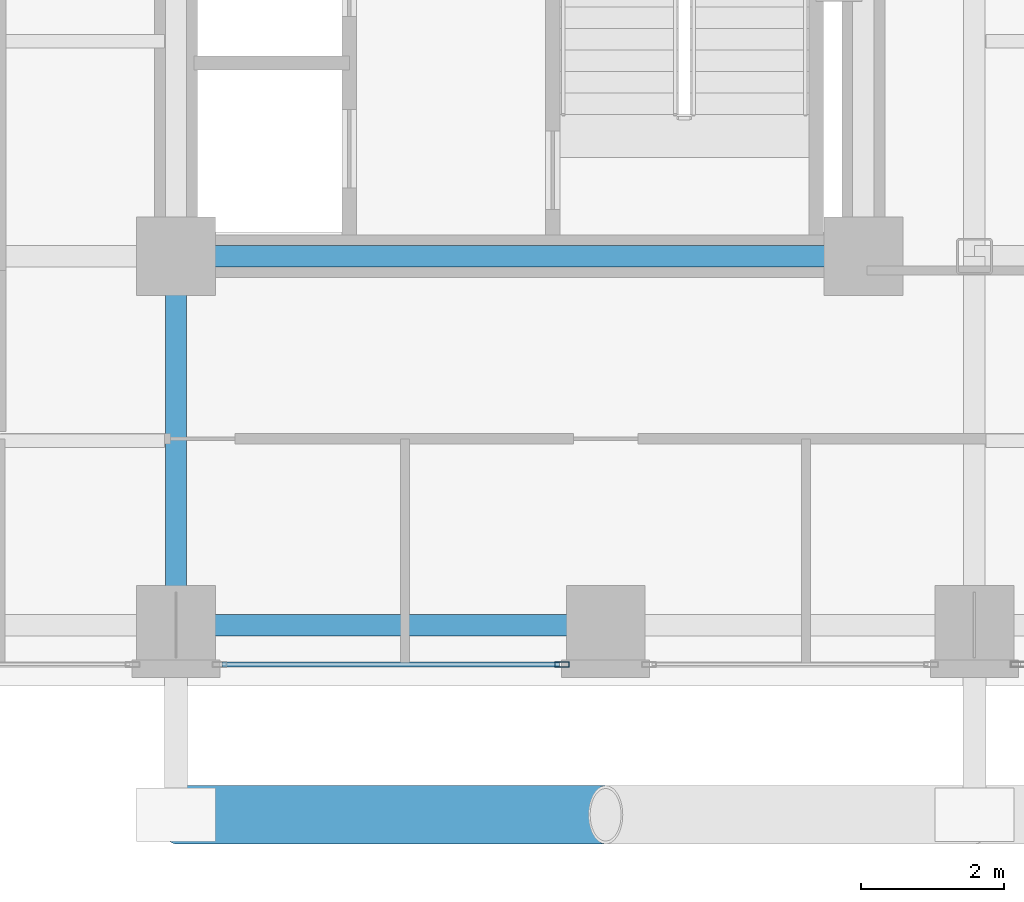
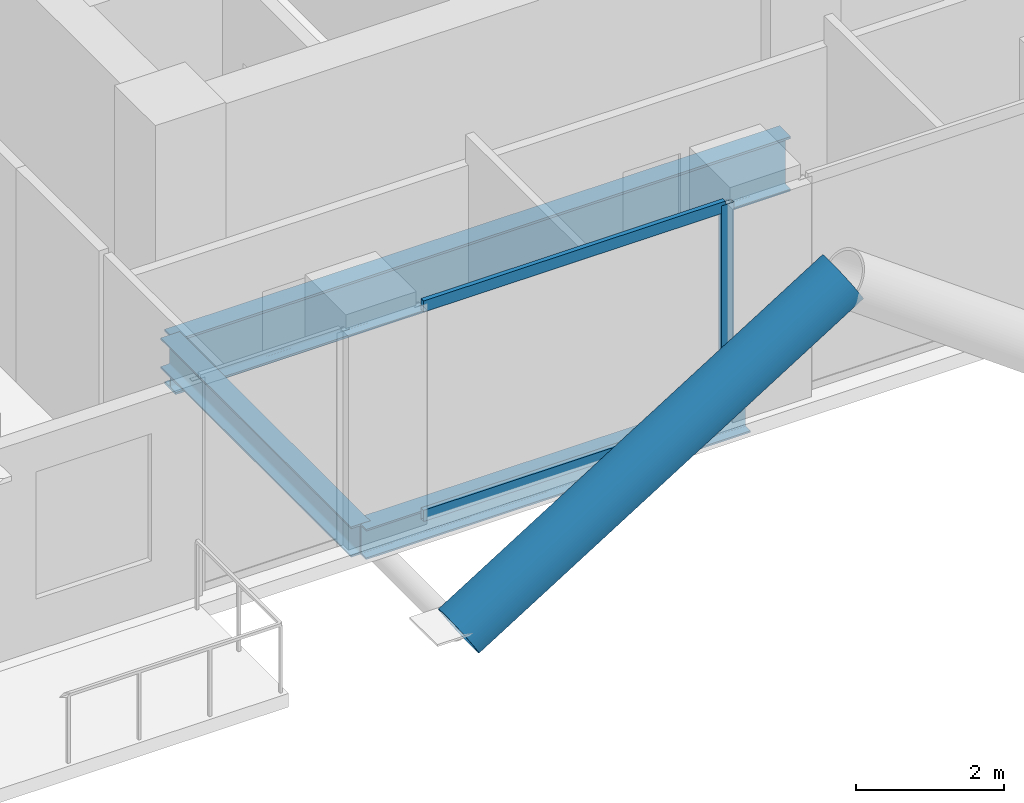
# One storey, part 4 of 26: 4 members, 3 beams, 1 element without a shape of its own.
"""IFC4 building model written with IfcOpenShell, lengths in metres."""

from ifc_helpers import new_model, si_unit, direction, frame, origin, origin_2d, place, context, subcontext, project, spatial, hollow_rectangle, hollow_circle, i_section, extrude, material, layer, layer_set, material_profile, profile_set, type_object, element, aggregate, save


model = new_model("IFC4")

# Units and contexts
model_context = context("Model", 3, precision=1e-05, world=origin(), true_north=direction((0.0, 1.0)))
body_context = subcontext(model_context, "Body", "Model", "MODEL_VIEW")
ifc_project = project(units=[si_unit("LENGTHUNIT", "METRE"), si_unit("AREAUNIT", "SQUARE_METRE"), si_unit("VOLUMEUNIT", "CUBIC_METRE"), si_unit("PLANEANGLEUNIT", "RADIAN"), si_unit("MASSUNIT", "GRAM", prefix="KILO"), si_unit("THERMODYNAMICTEMPERATUREUNIT", "KELVIN"), si_unit("POWERUNIT", "WATT")], contexts=[model_context])

# Site, building, storey
site_placement = place(None, origin())
site = spatial("IfcSite", under=ifc_project, at=site_placement, CompositionType="ELEMENT")
building_placement = place(site_placement, origin())
building = spatial("IfcBuilding", under=site, at=building_placement, Name="Svarakhadi Broadcast Tower", CompositionType="ELEMENT")
storey_placement = place(building_placement, frame((0.0, 0.0, 99.60009765625)))
storey = spatial("IfcBuildingStorey", under=building, at=storey_placement, Name="L23", CompositionType="ELEMENT", Elevation=99.60009765625)

# Curtain wall, members
ifc_material_1 = material(Name="Anodised Bronze Aluminium AA 6063-T6", Category="aluminium")
ifc_layer = layer(ifc_material_1, 0.199951171875)
ifc_layer_set = layer_set([ifc_layer], Name="Anodised Bronze Aluminium AA 6063-T6")
curtain_wall_type = type_object("IfcCurtainWallType", Name="CW_Sys_03", PredefinedType="NOTDEFINED", material=ifc_layer_set)
curtain_wall_placement = place(storey_placement, origin())
curtain_wall = element("IfcCurtainWall", 1, at=curtain_wall_placement, inside=storey, type_object=curtain_wall_type, Name="L23 South Curtain Wall 14 Bay 3", PredefinedType="NOTDEFINED")
ifc_material_profile_1 = material_profile(ifc_material_1, hollow_rectangle(XDim=0.074951171875, YDim=0.199951171875, WallThickness=0.005615234375, at=origin_2d()), Name="ALU MULLION 200x75x6")
ifc_profile_set_1 = profile_set([ifc_material_profile_1], Name="Anodised Bronze Aluminium AA 6063-T6")
member_type_1 = type_object("IfcMemberType", Name="CW_Sys_03_Mul", PredefinedType="MULLION", material=ifc_profile_set_1)
member_1_placement = place(storey_placement, frame((29.392578125, 0.300048828125, 0.0), z_axis=(0.0, 0.0, 1.0), x_axis=(0.0, -1.0, 0.0)))
member_1 = element("IfcMember", 2, at=member_1_placement, type_object=member_type_1, Name="CW-03 mullion 1", PredefinedType="MULLION", context=body_context, shape_type="SweptSolid", body=[
    extrude(hollow_rectangle(XDim=0.074951171875, YDim=0.199951171875, WallThickness=0.005615234375, at=origin_2d()), origin(), (0.0, 0.0, 1.0), 3.52490234375),
])
ifc_material_profile_2 = material_profile(ifc_material_1, hollow_rectangle(XDim=0.070068359375, YDim=0.18505859375, WallThickness=0.0048828125, at=origin_2d()), Name="ALU TRANSOM 185x70x5")
ifc_profile_set_2 = profile_set([ifc_material_profile_2], Name="Anodised Bronze Aluminium AA 6063-T6")
member_type_2 = type_object("IfcMemberType", Name="CW_Sys_03_Trn", PredefinedType="USERDEFINED", material=ifc_profile_set_2)
member_2_placement = place(storey_placement, frame((29.35498046875, 0.300048828125, 0.034912109375), z_axis=(-1.0, 0.0, 0.0), x_axis=(0.0, -1.0, 0.0)))
member_2 = element("IfcMember", 3, at=member_2_placement, type_object=member_type_2, Name="CW-03 transom 1.1", ObjectType="TRANSOM", PredefinedType="USERDEFINED", context=body_context, shape_type="SweptSolid", body=[
    extrude(hollow_rectangle(XDim=0.070068359375, YDim=0.18505859375, WallThickness=0.0048828125, at=origin_2d()), origin(), (0.0, 0.0, 1.0), 4.7099609375),
])
member_3_placement = place(storey_placement, frame((29.35498046875, 0.300048828125, 3.489990234375), z_axis=(-1.0, 0.0, 0.0), x_axis=(0.0, -1.0, 0.0)))
member_3 = element("IfcMember", 4, at=member_3_placement, type_object=member_type_2, Name="CW-03 transom 1.2", ObjectType="TRANSOM", PredefinedType="USERDEFINED", context=body_context, shape_type="SweptSolid", body=[
    extrude(hollow_rectangle(XDim=0.070068359375, YDim=0.18505859375, WallThickness=0.0048828125, at=origin_2d()), origin(), (0.0, 0.0, 1.0), 4.7099609375),
])
aggregate(curtain_wall, [member_1, member_2, member_3])

# Member
ifc_material_2 = material(Name="Steel S460ML (IS 2062 E450BR)", Category="steel")
ifc_material_profile_3 = material_profile(ifc_material_2, hollow_circle(Radius=0.406494140625, WallThickness=0.0400390625, at=origin_2d()), Name="CHS 813x40")
ifc_profile_set_3 = profile_set([ifc_material_profile_3], Name="Steel S460ML (IS 2062 E450BR)")
member_type_3 = type_object("IfcMemberType", Name="Exo_Brace_CHS813", PredefinedType="BRACE", material=ifc_profile_set_3)
member_4_placement = place(storey_placement, frame((24.0, -1.800048828125, -0.386962890625), z_axis=(0.847998304005, 0.0, 0.529998940003), x_axis=(0.0, 1.0, 0.0)))
element("IfcMember", 5, at=member_4_placement, inside=storey, type_object=member_type_3, Name="L23 Exposed Bronze Exoskeleton Diagonal S01", PredefinedType="BRACE", context=body_context, shape_type="SweptSolid", body=[
    extrude(hollow_circle(Radius=0.406494140625, WallThickness=0.0400390625, at=origin_2d()), origin(), (0.0, 0.0, 1.0), 7.075439453125),
])

# Beams
ifc_material_3 = material(Name="Steel S355J2 (IS 2062 E350C)", Category="steel")
ifc_material_profile_4 = material_profile(ifc_material_3, i_section(OverallWidth=0.300048828125, OverallDepth=0.5, WebThickness=0.014404296875, FlangeThickness=0.028076171875, FilletRadius=0.027099609375, at=origin_2d()), Name="WPB 500x300x187")
ifc_profile_set_4 = profile_set([ifc_material_profile_4], Name="Steel S355J2 (IS 2062 E350C)")
beam_type_1 = type_object("IfcBeamType", Name="Girder_WPB500", PredefinedType="USERDEFINED", material=ifc_profile_set_4)
beam_1_placement = place(storey_placement, frame((24.0, 0.85009765625, -0.47509765625), z_axis=(1.0, 0.0, 0.0), x_axis=(0.0, 1.0, 0.0)))
element("IfcBeam", 6, at=beam_1_placement, inside=storey, type_object=beam_type_1, Name="L23 Primary E-W Girder G007", ObjectType="GIRDER", PredefinedType="USERDEFINED", context=body_context, shape_type="SweptSolid", body=[
    extrude(i_section(OverallWidth=0.300048828125, OverallDepth=0.5, WebThickness=0.014404296875, FlangeThickness=0.028076171875, FilletRadius=0.027099609375, at=origin_2d()), origin(), (0.0, 0.0, 1.0), 6.0),
])
beam_2_placement = place(storey_placement, frame((24.0, 0.85009765625, -0.47509765625), z_axis=(0.0, 1.0, 0.0), x_axis=(-1.0, 0.0, 0.0)))
element("IfcBeam", 7, at=beam_2_placement, inside=storey, type_object=beam_type_1, Name="L23 Primary N-S Girder G065", ObjectType="GIRDER", PredefinedType="USERDEFINED", context=body_context, shape_type="SweptSolid", body=[
    extrude(i_section(OverallWidth=0.300048828125, OverallDepth=0.5, WebThickness=0.014404296875, FlangeThickness=0.028076171875, FilletRadius=0.027099609375, at=origin_2d()), origin(), (0.0, 0.0, 1.0), 5.14990234375),
])
ifc_material_profile_5 = material_profile(ifc_material_2, i_section(OverallWidth=0.300048828125, OverallDepth=0.89990234375, WebThickness=0.0185546875, FlangeThickness=0.034912109375, FilletRadius=0.030029296875, at=origin_2d()), Name="WPB 900x300x291")
ifc_profile_set_5 = profile_set([ifc_material_profile_5], Name="Steel S460ML (IS 2062 E450BR)")
beam_type_2 = type_object("IfcBeamType", Name="Girder_WPB900", PredefinedType="USERDEFINED", material=ifc_profile_set_5)
beam_3_placement = place(storey_placement, frame((24.0, 6.0, -0.675048828125), z_axis=(1.0, 0.0, 0.0), x_axis=(0.0, 1.0, 0.0)))
element("IfcBeam", 8, at=beam_3_placement, inside=storey, type_object=beam_type_2, Name="L23 Primary E-W Girder G015", ObjectType="GIRDER", PredefinedType="USERDEFINED", context=body_context, shape_type="SweptSolid", body=[
    extrude(i_section(OverallWidth=0.300048828125, OverallDepth=0.89990234375, WebThickness=0.0185546875, FlangeThickness=0.034912109375, FilletRadius=0.030029296875, at=origin_2d()), origin(), (0.0, 0.0, 1.0), 9.60009765625),
])

save(model, "model.ifc")
